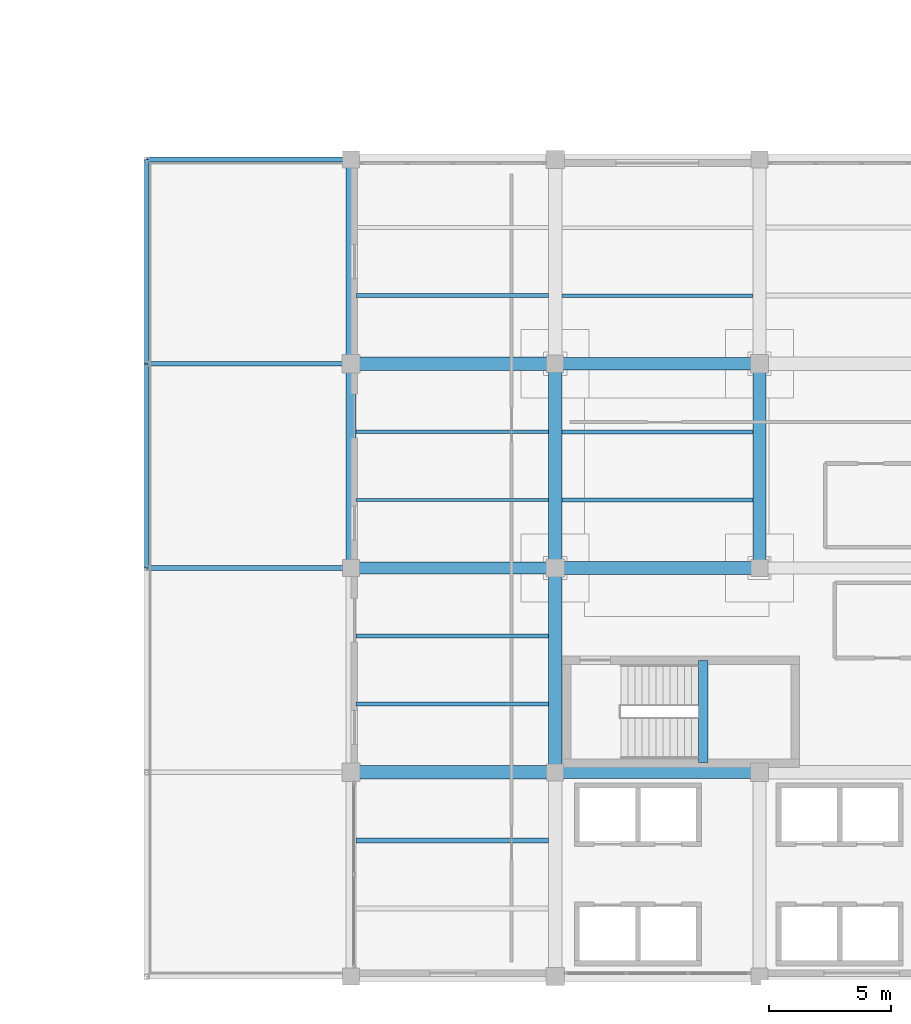
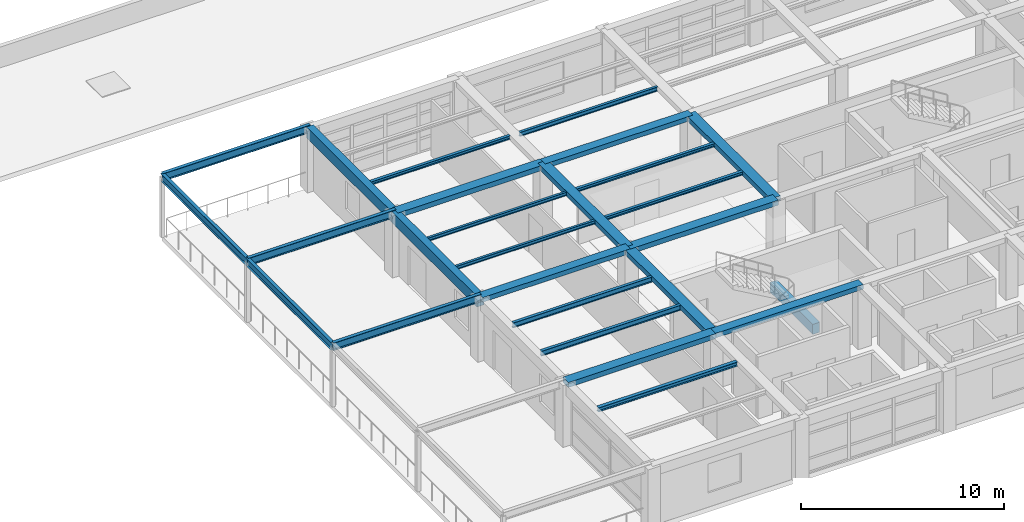
# One storey, part 9 of 35: 26 beams.
"""IFC4 building model written with IfcOpenShell, lengths in metres."""

import ifcopenshell
import ifcopenshell.guid

model = None  # the IFC model being written
_history = None  # IfcOwnerHistory: only IFC2X3 demands one
_inside = {}  # id of a spatial element -> (the spatial element, [elements in it])
_under = {}  # id of a project, library or spatial element -> (it, [spatial elements below it])
_declared = {}  # id of a project -> (the project, [libraries it declares])
_typed = {}  # id of a type object -> (the type object, [elements of that type])
_made_of = {}  # id of a material, layer set ... -> (it, [elements and type objects made of it])


def new_model(schema):
    """Start an empty IFC model of exactly this schema.

    Asked for "IFC4X3", IfcOpenShell would pick the latest addendum, in which some entities
    have other attributes; the version numbers below select the first issue.
    IFC2X3 requires an IfcOwnerHistory on every rooted entity: one is made here for all.
    """
    global model, _history
    if schema == "IFC4X3":
        model = ifcopenshell.file(schema_version=(4, 3, 0, 0))
    else:
        model = ifcopenshell.file(schema=schema)
    _inside.clear()
    _under.clear()
    _declared.clear()
    _typed.clear()
    _made_of.clear()
    _history = None
    if model.schema == "IFC2X3":
        org = make("IfcOrganization", Name="unknown")
        user = make(
            "IfcPersonAndOrganization",
            ThePerson=make("IfcPerson", FamilyName="unknown"),
            TheOrganization=org,
        )
        app = make(
            "IfcApplication",
            ApplicationDeveloper=org,
            Version="unknown",
            ApplicationFullName="unknown",
            ApplicationIdentifier="unknown",
        )
        _history = make(
            "IfcOwnerHistory",
            OwningUser=user,
            OwningApplication=app,
            ChangeAction="ADDED",
            CreationDate=0,
        )
    return model


def make(cls, **values):
    """One entity of the class cls with the attributes given. An attribute that is None is left unset."""
    return model.create_entity(
        cls, **{name: value for name, value in values.items() if value is not None}
    )


def rooted(cls, **values):
    """An entity with a GlobalId (a new one), such as an element, a storey or a relation."""
    return make(cls, GlobalId=ifcopenshell.guid.new(), OwnerHistory=_history, **values)


def si_unit(unit_type, name, prefix=None):
    """IfcSIUnit, for example si_unit("LENGTHUNIT", "METRE", prefix="MILLI")."""
    return make("IfcSIUnit", UnitType=unit_type, Prefix=prefix, Name=name)


def assignment(units):
    """IfcUnitAssignment: the units of a project."""
    return None if units is None else make("IfcUnitAssignment", Units=units)


def point(xyz):
    """IfcCartesianPoint."""
    return None if xyz is None else make("IfcCartesianPoint", Coordinates=xyz)


def direction(xyz):
    """IfcDirection."""
    return None if xyz is None else make("IfcDirection", DirectionRatios=xyz)


def frame(location, z_axis=None, x_axis=None):
    """IfcAxis2Placement3D, a coordinate frame: its origin and axes. An axis left out is left unset."""
    return make(
        "IfcAxis2Placement3D",
        Location=point(location),
        Axis=direction(z_axis),
        RefDirection=direction(x_axis),
    )


def frame_2d(location, x_axis=None):
    """IfcAxis2Placement2D, a coordinate frame in the plane: its origin and x axis."""
    return make(
        "IfcAxis2Placement2D", Location=point(location), RefDirection=direction(x_axis)
    )


def origin():
    """The frame at (0, 0, 0) with its axes left unset."""
    return frame((0.0, 0.0, 0.0))


def origin_2d():
    """The frame at (0, 0) in the plane with its x axis left unset."""
    return frame_2d((0.0, 0.0))


def place(relative_to, where):
    """IfcLocalPlacement: puts the frame where relative to a parent placement (None: the world)."""
    return make(
        "IfcLocalPlacement", PlacementRelTo=relative_to, RelativePlacement=where
    )


def context(
    kind, dimensions, precision=None, world=None, true_north=None, identifier=None
):
    """IfcGeometricRepresentationContext, for example the 3D "Model" context."""
    return make(
        "IfcGeometricRepresentationContext",
        ContextIdentifier=identifier,
        ContextType=kind,
        CoordinateSpaceDimension=dimensions,
        Precision=precision,
        WorldCoordinateSystem=world,
        TrueNorth=true_north,
    )


def subcontext(parent, identifier, kind, view, scale=None):
    """IfcGeometricRepresentationSubContext, for example "Body" below "Model"."""
    return make(
        "IfcGeometricRepresentationSubContext",
        ContextIdentifier=identifier,
        ContextType=kind,
        ParentContext=parent,
        TargetScale=scale,
        TargetView=view,
    )


def project(units=None, contexts=None):
    """IfcProject with its units and contexts."""
    return rooted(
        "IfcProject",
        Name="project",
        RepresentationContexts=contexts,
        UnitsInContext=assignment(units),
    )


def spatial(cls, under=None, at=None, **own):
    """A site, building, storey or space (cls), placed at a placement, below another one or the project."""
    s = rooted(cls, ObjectPlacement=at, **own)
    if under is not None:
        _under.setdefault(under.id(), (under, []))[1].append(s)
    return s


def profile(cls, at=None, kind="AREA", **sizes):
    """A parametric profile (cls). Its sizes go by their IFC names, for example OverallWidth=200.0."""
    return make(cls, ProfileType=kind, Position=at, **sizes)


def rectangle(**sizes):
    """IfcRectangleProfileDef."""
    return profile("IfcRectangleProfileDef", **sizes)


def i_section(**sizes):
    """IfcIShapeProfileDef."""
    return profile("IfcIShapeProfileDef", **sizes)


def extrude(swept, where, along, depth):
    """IfcExtrudedAreaSolid: the profile swept, set in the frame where, extruded along a direction by depth."""
    return make(
        "IfcExtrudedAreaSolid",
        SweptArea=swept,
        Position=where,
        ExtrudedDirection=direction(along),
        Depth=depth,
    )


def shape(context_of_items, identifier, shape_type, items):
    """IfcShapeRepresentation: the items that make up one representation, for example the "Body"."""
    return make(
        "IfcShapeRepresentation",
        ContextOfItems=context_of_items,
        RepresentationIdentifier=identifier,
        RepresentationType=shape_type,
        Items=items,
    )


def material(Name=None, Category=None):
    """IfcMaterial."""
    return make("IfcMaterial", Name=Name, Category=Category)


def material_profile(
    of_material, cross_section, Name=None, Category=None, Priority=None
):
    """IfcMaterialProfile: a cross section and its material."""
    return make(
        "IfcMaterialProfile",
        Name=Name,
        Material=of_material,
        Profile=cross_section,
        Priority=Priority,
        Category=Category,
    )


def profile_set(profiles, Name=None, composite=None):
    """IfcMaterialProfileSet."""
    return make(
        "IfcMaterialProfileSet",
        Name=Name,
        MaterialProfiles=profiles,
        CompositeProfile=composite,
    )


def made_of(thing, what):
    """Note that an element or type object is made of a material, layer set ...; save() writes the relation."""
    if what is not None:
        _made_of.setdefault(what.id(), (what, []))[1].append(thing)
    return thing


def type_object(cls, material=None, **own):
    """A type object (cls), such as IfcWallType, which elements share."""
    return made_of(rooted(cls, **own), material)


def element(
    cls,
    number,
    at=None,
    inside=None,
    cuts=None,
    type_object=None,
    material=None,
    context=None,
    identifier="Body",
    shape_type=None,
    held_by="IfcProductDefinitionShape",
    body=None,
    shapes=None,
    **own,
):
    """One element of the class cls, such as IfcWall. Its Tag is "e" and its number.

    at: its placement. inside: the storey or other place that contains it. cuts: it is an
    opening in that element (IfcRelVoidsElement). A single representation is given by context,
    identifier, shape_type and body (its items); several are given by shapes. held_by: the class
    of the entity that holds the representations. save() writes the other relations.
    """
    e = rooted(cls, Tag="e%d" % number, ObjectPlacement=at, **own)
    if body is not None:
        shapes = [shape(context, identifier, shape_type, body)]
    if shapes is not None:
        e.Representation = make(held_by, Representations=shapes)
    if inside is not None:
        _inside.setdefault(inside.id(), (inside, []))[1].append(e)
    if cuts is not None:
        rooted(
            "IfcRelVoidsElement", RelatingBuildingElement=cuts, RelatedOpeningElement=e
        )
    if type_object is not None:
        _typed.setdefault(type_object.id(), (type_object, []))[1].append(e)
    return made_of(e, material)


def aggregate(whole, parts):
    """IfcRelAggregates: a whole, such as a stair, and the parts it consists of."""
    return rooted("IfcRelAggregates", RelatingObject=whole, RelatedObjects=parts)


def save(model, path):
    """Write the relations noted so far, then the file.

    IfcRelAggregates (storeys below a building ...), IfcRelContainedInSpatialStructure (elements
    in a storey), IfcRelDefinesByType, IfcRelAssociatesMaterial and IfcRelDeclares: one each for
    every whole, place, type object, material and project.
    """
    for whole, parts in _under.values():
        aggregate(whole, parts)
    for where, things in _inside.values():
        rooted(
            "IfcRelContainedInSpatialStructure",
            RelatedElements=things,
            RelatingStructure=where,
        )
    for kind, things in _typed.values():
        rooted("IfcRelDefinesByType", RelatedObjects=things, RelatingType=kind)
    for what, things in _made_of.values():
        rooted("IfcRelAssociatesMaterial", RelatedObjects=things, RelatingMaterial=what)
    for by, libraries in _declared.values():
        rooted("IfcRelDeclares", RelatingContext=by, RelatedDefinitions=libraries)
    model.write(path)


model = new_model("IFC4")

# Units and contexts
model_context = context("Model", 3, precision=1e-05, world=origin(), true_north=direction((0.0, 1.0)))
body_context = subcontext(model_context, "Body", "Model", "MODEL_VIEW")
ifc_project = project(units=[si_unit("LENGTHUNIT", "METRE"), si_unit("AREAUNIT", "SQUARE_METRE"), si_unit("VOLUMEUNIT", "CUBIC_METRE"), si_unit("PLANEANGLEUNIT", "RADIAN"), si_unit("MASSUNIT", "GRAM", prefix="KILO")], contexts=[model_context])

# Site, building, storey
site_placement = place(None, origin())
site = spatial("IfcSite", under=ifc_project, at=site_placement, CompositionType="ELEMENT")
building_placement = place(site_placement, origin())
building = spatial("IfcBuilding", under=site, at=building_placement, Name="Almacenes y Pasaje Nevantli", CompositionType="ELEMENT")
storey_placement = place(building_placement, frame((0.0, 0.0, 26.699951171875)))
storey = spatial("IfcBuildingStorey", under=building, at=storey_placement, Name="L06", CompositionType="ELEMENT", Elevation=26.699951171875)

# Beams
ifc_material_1 = material(Name="Concrete C35/45", Category="concrete")
ifc_material_profile_1 = material_profile(ifc_material_1, rectangle(XDim=0.39990234375, YDim=0.60009765625, at=origin_2d()), Name="RC-BM-400x600")
ifc_profile_set_1 = profile_set([ifc_material_profile_1], Name="Concrete C35/45")
beam_type_1 = type_object("IfcBeamType", Name="BM-RC-400x600", PredefinedType="SPANDREL", material=ifc_profile_set_1)
beam_1_placement = place(storey_placement, frame((123.68994140625, 76.0, 1.5), z_axis=(0.0, 1.0, 0.0), x_axis=(-1.0, 0.0, 0.0)))
element("IfcBeam", 1, at=beam_1_placement, inside=storey, type_object=beam_type_1, Name="L06 Stair ST-01 Half-Landing Support Beam", PredefinedType="SPANDREL", context=body_context, shape_type="SweptSolid", body=[
    extrude(rectangle(XDim=0.39990234375, YDim=0.60009765625, at=origin_2d()), origin(), (0.0, 0.0, 1.0), 4.18994140625),
])
ifc_material_2 = material(Name="Concrete C35/45", Category="concrete")
ifc_material_profile_2 = material_profile(ifc_material_2, rectangle(XDim=0.39990234375, YDim=0.64990234375, at=origin_2d()), Name="RC-BM-400x650")
ifc_profile_set_2 = profile_set([ifc_material_profile_2], Name="Concrete C35/45")
beam_type_2 = type_object("IfcBeamType", Name="BM-RC-400x650", PredefinedType="SPANDREL", material=ifc_profile_set_2)
beam_2_placement = place(storey_placement, frame((109.199951171875, 84.0, 3.39501953125), z_axis=(0.0, 1.0, 0.0), x_axis=(-1.0, 0.0, 0.0)))
element("IfcBeam", 2, at=beam_2_placement, inside=storey, type_object=beam_type_2, Name="L06 North-South Reinforced Concrete Beam #3605", PredefinedType="SPANDREL", context=body_context, shape_type="SweptSolid", body=[
    extrude(rectangle(XDim=0.39990234375, YDim=0.64990234375, at=origin_2d()), origin(), (0.0, 0.0, 1.0), 8.39990234375),
])
beam_3_placement = place(storey_placement, frame((109.199951171875, 92.39990234375, 3.39501953125), z_axis=(0.0, 1.0, 0.0), x_axis=(-1.0, 0.0, 0.0)))
element("IfcBeam", 3, at=beam_3_placement, inside=storey, type_object=beam_type_2, Name="L06 North-South Reinforced Concrete Beam #3606", PredefinedType="SPANDREL", context=body_context, shape_type="SweptSolid", body=[
    extrude(rectangle(XDim=0.39990234375, YDim=0.64990234375, at=origin_2d()), origin(), (0.0, 0.0, 1.0), 8.400146484375),
])
ifc_material_3 = material(Name="Concrete C35/45", Category="concrete")
ifc_material_profile_3 = material_profile(ifc_material_3, rectangle(XDim=0.5, YDim=0.280029296875, at=origin_2d()), Name="RC-BM-500x280")
ifc_profile_set_3 = profile_set([ifc_material_profile_3], Name="Concrete C35/45")
beam_type_3 = type_object("IfcBeamType", Name="BM-RC-500x280", PredefinedType="BEAM", material=ifc_profile_set_3)
beam_4_placement = place(storey_placement, frame((117.60009765625, 75.60009765625, 3.580078125), z_axis=(1.0, 0.0, 0.0), x_axis=(0.0, 1.0, 0.0)))
element("IfcBeam", 4, at=beam_4_placement, inside=storey, type_object=beam_type_3, Name="L06 East-West Reinforced Concrete Beam #3580", PredefinedType="BEAM", context=body_context, shape_type="SweptSolid", body=[
    extrude(rectangle(XDim=0.5, YDim=0.280029296875, at=origin_2d()), origin(), (0.0, 0.0, 1.0), 8.39990234375),
])
beam_5_placement = place(storey_placement, frame((109.199951171875, 84.0, 3.580078125), z_axis=(1.0, 0.0, 0.0), x_axis=(0.0, 1.0, 0.0)))
element("IfcBeam", 5, at=beam_5_placement, inside=storey, type_object=beam_type_3, Name="L06 East-West Reinforced Concrete Beam #3585", PredefinedType="BEAM", context=body_context, shape_type="SweptSolid", body=[
    extrude(rectangle(XDim=0.5, YDim=0.280029296875, at=origin_2d()), origin(), (0.0, 0.0, 1.0), 8.400146484375),
])
beam_6_placement = place(storey_placement, frame((117.60009765625, 92.39990234375, 3.580078125), z_axis=(1.0, 0.0, 0.0), x_axis=(0.0, 1.0, 0.0)))
element("IfcBeam", 6, at=beam_6_placement, inside=storey, type_object=beam_type_3, Name="L06 East-West Reinforced Concrete Beam #3592", PredefinedType="BEAM", context=body_context, shape_type="SweptSolid", body=[
    extrude(rectangle(XDim=0.5, YDim=0.280029296875, at=origin_2d()), origin(), (0.0, 0.0, 1.0), 8.39990234375),
])
ifc_material_4 = material(Name="Concrete C35/45", Category="concrete")
ifc_material_profile_4 = material_profile(ifc_material_4, rectangle(XDim=0.550048828125, YDim=0.300048828125, at=origin_2d()), Name="RC-BM-550x300")
ifc_profile_set_4 = profile_set([ifc_material_profile_4], Name="Concrete C35/45")
beam_type_4 = type_object("IfcBeamType", Name="BM-RC-550x300", PredefinedType="BEAM", material=ifc_profile_set_4)
beam_7_placement = place(storey_placement, frame((109.199951171875, 75.60009765625, 3.570068359375), z_axis=(1.0, 0.0, 0.0), x_axis=(0.0, 1.0, 0.0)))
element("IfcBeam", 7, at=beam_7_placement, inside=storey, type_object=beam_type_4, Name="L06 East-West Reinforced Concrete Beam #3579", PredefinedType="BEAM", context=body_context, shape_type="SweptSolid", body=[
    extrude(rectangle(XDim=0.550048828125, YDim=0.300048828125, at=origin_2d()), origin(), (0.0, 0.0, 1.0), 8.400146484375),
])
beam_8_placement = place(storey_placement, frame((117.60009765625, 84.0, 3.570068359375), z_axis=(1.0, 0.0, 0.0), x_axis=(0.0, 1.0, 0.0)))
element("IfcBeam", 8, at=beam_8_placement, inside=storey, type_object=beam_type_4, Name="L06 East-West Reinforced Concrete Beam #3586", PredefinedType="BEAM", context=body_context, shape_type="SweptSolid", body=[
    extrude(rectangle(XDim=0.550048828125, YDim=0.300048828125, at=origin_2d()), origin(), (0.0, 0.0, 1.0), 8.39990234375),
])
beam_9_placement = place(storey_placement, frame((109.199951171875, 92.39990234375, 3.570068359375), z_axis=(1.0, 0.0, 0.0), x_axis=(0.0, 1.0, 0.0)))
element("IfcBeam", 9, at=beam_9_placement, inside=storey, type_object=beam_type_4, Name="L06 East-West Reinforced Concrete Beam #3591", PredefinedType="BEAM", context=body_context, shape_type="SweptSolid", body=[
    extrude(rectangle(XDim=0.550048828125, YDim=0.300048828125, at=origin_2d()), origin(), (0.0, 0.0, 1.0), 8.400146484375),
])
for number, where, z_axis, x_axis, name in (
    (10, (117.60009765625, 75.60009765625, 3.570068359375), (0.0, 1.0, 0.0), (-1.0, 0.0, 0.0), "L06 North-South Reinforced Concrete Beam #3608"),
    (11, (117.60009765625, 84.0, 3.570068359375), (0.0, 1.0, 0.0), (-1.0, 0.0, 0.0), "L06 North-South Reinforced Concrete Beam #3609"),
    (12, (126.0, 84.0, 3.570068359375), (0.0, 1.0, 0.0), (-1.0, 0.0, 0.0), "L06 North-South Reinforced Concrete Beam #3612"),
):
    element("IfcBeam", number, at=place(storey_placement, frame(where, z_axis=z_axis, x_axis=x_axis)), inside=storey, type_object=beam_type_4, Name=name, PredefinedType="BEAM", context=body_context, shape_type="SweptSolid", body=[
        extrude(rectangle(XDim=0.550048828125, YDim=0.300048828125, at=origin_2d()), origin(), (0.0, 0.0, 1.0), 8.39990234375),
    ])
ifc_material_5 = material(Name="Steel ASTM A992", Category="steel")
ifc_material_profile_5 = material_profile(ifc_material_5, i_section(OverallWidth=0.134033203125, OverallDepth=0.2099609375, WebThickness=0.00634765625, FlangeThickness=0.01025390625, at=origin_2d()), Name="IR 203x31.3")
ifc_profile_set_5 = profile_set([ifc_material_profile_5], Name="Steel ASTM A992")
beam_type_5 = type_object("IfcBeamType", Name="BM-STL-IR-203x31p3", PredefinedType="JOIST", material=ifc_profile_set_5)
for number, where, z_axis, x_axis, name in (
    (13, (109.39990234375, 86.800048828125, 3.60693359375), (1.0, 0.0, 0.0), (0.0, 1.0, 0.0), "L06 Secondary Steel Floor Joist #1357"),
    (14, (109.39990234375, 89.60009765625, 3.60693359375), (1.0, 0.0, 0.0), (0.0, 1.0, 0.0), "L06 Secondary Steel Floor Joist #1358"),
):
    element("IfcBeam", number, at=place(storey_placement, frame(where, z_axis=z_axis, x_axis=x_axis)), inside=storey, type_object=beam_type_5, Name=name, PredefinedType="JOIST", context=body_context, shape_type="SweptSolid", body=[
        extrude(i_section(OverallWidth=0.134033203125, OverallDepth=0.2099609375, WebThickness=0.00634765625, FlangeThickness=0.01025390625, at=origin_2d()), origin(), (0.0, 0.0, 1.0), 7.925048828125),
    ])
ifc_material_6 = material(Name="Steel ASTM A992", Category="steel")
ifc_material_profile_6 = material_profile(ifc_material_6, i_section(OverallWidth=0.166015625, OverallDepth=0.205078125, WebThickness=0.007080078125, FlangeThickness=0.01171875, at=origin_2d()), Name="IR 203x41.7")
ifc_profile_set_6 = profile_set([ifc_material_profile_6], Name="Steel ASTM A992")
beam_type_6 = type_object("IfcBeamType", Name="BM-STL-IR-203x41p7", PredefinedType="JOIST", material=ifc_profile_set_6)
beam_10_placement = place(storey_placement, frame((109.39990234375, 95.199951171875, 3.609619140625), z_axis=(1.0, 0.0, 0.0), x_axis=(0.0, 1.0, 0.0)))
element("IfcBeam", 15, at=beam_10_placement, inside=storey, type_object=beam_type_6, Name="L06 Secondary Steel Floor Joist #1359", PredefinedType="JOIST", context=body_context, shape_type="SweptSolid", body=[
    extrude(i_section(OverallWidth=0.166015625, OverallDepth=0.205078125, WebThickness=0.007080078125, FlangeThickness=0.01171875, at=origin_2d()), origin(), (0.0, 0.0, 1.0), 7.925048828125),
])
for number, where, z_axis, x_axis, name in (
    (16, (117.875, 86.800048828125, 3.609619140625), (1.0, 0.0, 0.0), (0.0, 1.0, 0.0), "L06 Secondary Steel Floor Joist #1361"),
    (17, (117.875, 89.60009765625, 3.609619140625), (1.0, 0.0, 0.0), (0.0, 1.0, 0.0), "L06 Secondary Steel Floor Joist #1362"),
):
    element("IfcBeam", number, at=place(storey_placement, frame(where, z_axis=z_axis, x_axis=x_axis)), inside=storey, type_object=beam_type_6, Name=name, PredefinedType="JOIST", context=body_context, shape_type="SweptSolid", body=[
        extrude(i_section(OverallWidth=0.166015625, OverallDepth=0.205078125, WebThickness=0.007080078125, FlangeThickness=0.01171875, at=origin_2d()), origin(), (0.0, 0.0, 1.0), 7.85009765625),
    ])
ifc_material_7 = material(Name="Steel ASTM A992", Category="steel")
ifc_material_profile_7 = material_profile(ifc_material_7, i_section(OverallWidth=0.14697265625, OverallDepth=0.257080078125, WebThickness=0.006591796875, FlangeThickness=0.01123046875, at=origin_2d()), Name="IR 254x38.7")
ifc_profile_set_7 = profile_set([ifc_material_profile_7], Name="Steel ASTM A992")
beam_type_7 = type_object("IfcBeamType", Name="BM-STL-IR-254x38p7", PredefinedType="JOIST", material=ifc_profile_set_7)
beam_11_placement = place(storey_placement, frame((117.875, 95.199951171875, 3.58349609375), z_axis=(1.0, 0.0, 0.0), x_axis=(0.0, 1.0, 0.0)))
element("IfcBeam", 18, at=beam_11_placement, inside=storey, type_object=beam_type_7, Name="L06 Secondary Steel Floor Joist #1363", PredefinedType="JOIST", context=body_context, shape_type="SweptSolid", body=[
    extrude(i_section(OverallWidth=0.14697265625, OverallDepth=0.257080078125, WebThickness=0.006591796875, FlangeThickness=0.01123046875, at=origin_2d()), origin(), (0.0, 0.0, 1.0), 7.85009765625),
])
ifc_material_8 = material(Name="Steel ASTM A992", Category="steel")
ifc_material_profile_8 = material_profile(ifc_material_8, i_section(OverallWidth=0.2041015625, OverallDepth=0.258056640625, WebThickness=0.008056640625, FlangeThickness=0.013427734375, at=origin_2d()), Name="IR 254x58.0")
ifc_profile_set_8 = profile_set([ifc_material_profile_8], Name="Steel ASTM A992")
beam_type_8 = type_object("IfcBeamType", Name="BM-STL-IR-254x58p0", PredefinedType="JOIST", material=ifc_profile_set_8)
beam_12_placement = place(storey_placement, frame((109.39990234375, 72.800048828125, 3.5830078125), z_axis=(1.0, 0.0, 0.0), x_axis=(0.0, 1.0, 0.0)))
element("IfcBeam", 19, at=beam_12_placement, inside=storey, type_object=beam_type_8, Name="L06 Secondary Steel Floor Joist #1354", PredefinedType="JOIST", context=body_context, shape_type="SweptSolid", body=[
    extrude(i_section(OverallWidth=0.2041015625, OverallDepth=0.258056640625, WebThickness=0.008056640625, FlangeThickness=0.013427734375, at=origin_2d()), origin(), (0.0, 0.0, 1.0), 7.925048828125),
])
ifc_material_9 = material(Name="Steel ASTM A992", Category="steel")
ifc_material_profile_9 = material_profile(ifc_material_9, i_section(OverallWidth=0.1650390625, OverallDepth=0.306884765625, WebThickness=0.006591796875, FlangeThickness=0.01025390625, at=origin_2d()), Name="IR 305x44.6")
ifc_profile_set_9 = profile_set([ifc_material_profile_9], Name="Steel ASTM A992")
beam_type_9 = type_object("IfcBeamType", Name="BM-STL-IR-305x44p6", PredefinedType="JOIST", material=ifc_profile_set_9)
for number, where, z_axis, x_axis, name in (
    (20, (109.39990234375, 78.39990234375, 3.55859375), (1.0, 0.0, 0.0), (0.0, 1.0, 0.0), "L06 Secondary Steel Floor Joist #1355"),
    (21, (109.39990234375, 81.199951171875, 3.55859375), (1.0, 0.0, 0.0), (0.0, 1.0, 0.0), "L06 Secondary Steel Floor Joist #1356"),
):
    element("IfcBeam", number, at=place(storey_placement, frame(where, z_axis=z_axis, x_axis=x_axis)), inside=storey, type_object=beam_type_9, Name=name, PredefinedType="JOIST", context=body_context, shape_type="SweptSolid", body=[
        extrude(i_section(OverallWidth=0.1650390625, OverallDepth=0.306884765625, WebThickness=0.006591796875, FlangeThickness=0.01025390625, at=origin_2d()), origin(), (0.0, 0.0, 1.0), 7.925048828125),
    ])
ifc_material_10 = material(Name="Steel ASTM A992", Category="steel")
ifc_material_profile_10 = material_profile(ifc_material_10, i_section(OverallWidth=0.18994140625, OverallDepth=0.45703125, WebThickness=0.009033203125, FlangeThickness=0.014404296875, at=origin_2d()), Name="IR 457x74.4")
ifc_profile_set_10 = profile_set([ifc_material_profile_10], Name="Steel ASTM A992")
beam_type_10 = type_object("IfcBeamType", Name="BM-STL-IR-457x74p4", PredefinedType="BEAM", material=ifc_profile_set_10)
beam_13_placement = place(storey_placement, frame((100.800048828125, 84.0, 3.60009765625), z_axis=(0.0, 1.0, 0.0), x_axis=(-1.0, 0.0, 0.0)))
element("IfcBeam", 22, at=beam_13_placement, inside=storey, type_object=beam_type_10, Name="L06 Ziggurat Terrace Pergola Edge Beam 84", PredefinedType="BEAM", context=body_context, shape_type="SweptSolid", body=[
    extrude(i_section(OverallWidth=0.18994140625, OverallDepth=0.45703125, WebThickness=0.009033203125, FlangeThickness=0.014404296875, at=origin_2d()), origin(), (0.0, 0.0, 1.0), 8.39990234375),
])
beam_14_placement = place(storey_placement, frame((100.800048828125, 92.39990234375, 3.60009765625), z_axis=(0.0, 1.0, 0.0), x_axis=(-1.0, 0.0, 0.0)))
element("IfcBeam", 23, at=beam_14_placement, inside=storey, type_object=beam_type_10, Name="L06 Ziggurat Terrace Pergola Edge Beam 92", PredefinedType="BEAM", context=body_context, shape_type="SweptSolid", body=[
    extrude(i_section(OverallWidth=0.18994140625, OverallDepth=0.45703125, WebThickness=0.009033203125, FlangeThickness=0.014404296875, at=origin_2d()), origin(), (0.0, 0.0, 1.0), 8.400146484375),
])
ifc_material_11 = material(Name="Steel ASTM A992", Category="steel")
ifc_material_profile_11 = material_profile(ifc_material_11, i_section(OverallWidth=0.193115234375, OverallDepth=0.4599609375, WebThickness=0.011474609375, FlangeThickness=0.01904296875, at=origin_2d()), Name="IR 457x96.7")
ifc_profile_set_11 = profile_set([ifc_material_profile_11], Name="Steel ASTM A992")
beam_type_11 = type_object("IfcBeamType", Name="BM-STL-IR-457x96p7", PredefinedType="BEAM", material=ifc_profile_set_11)
for number, where, z_axis, x_axis, name in (
    (24, (100.800048828125, 84.0, 3.60009765625), (1.0, 0.0, 0.0), (0.0, 1.0, 0.0), "L06 Ziggurat Terrace Pergola Cross Beam 84"),
    (25, (100.800048828125, 92.39990234375, 3.60009765625), (1.0, 0.0, 0.0), (0.0, 1.0, 0.0), "L06 Ziggurat Terrace Pergola Cross Beam 92"),
    (26, (100.800048828125, 100.800048828125, 3.60009765625), (1.0, 0.0, 0.0), (0.0, 1.0, 0.0), "L06 Ziggurat Terrace Pergola Cross Beam 100"),
):
    element("IfcBeam", number, at=place(storey_placement, frame(where, z_axis=z_axis, x_axis=x_axis)), inside=storey, type_object=beam_type_11, Name=name, PredefinedType="BEAM", context=body_context, shape_type="SweptSolid", body=[
        extrude(i_section(OverallWidth=0.193115234375, OverallDepth=0.4599609375, WebThickness=0.011474609375, FlangeThickness=0.01904296875, at=origin_2d()), origin(), (0.0, 0.0, 1.0), 8.39990234375),
    ])

save(model, "model.ifc")
